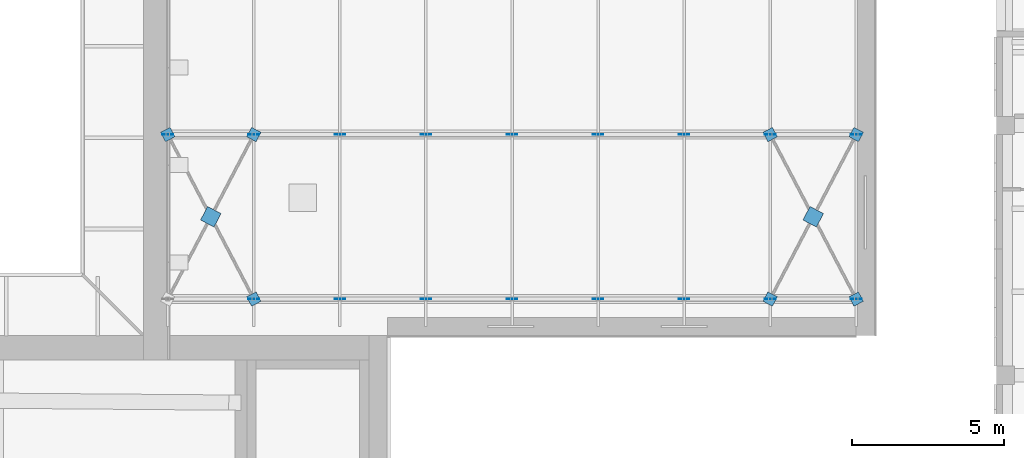
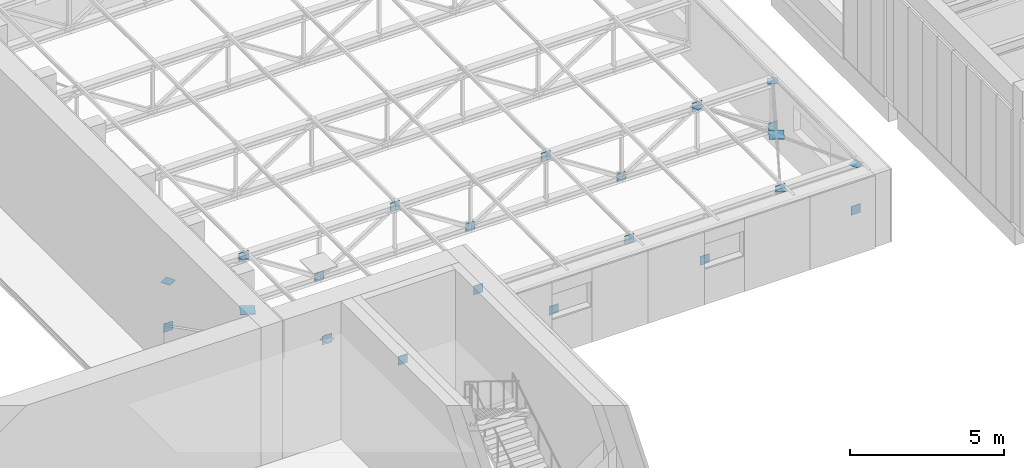
# One storey, part 95 of 132: 26 discrete accessories.
"""IFC4 building model written with IfcOpenShell, lengths in metres."""

import ifcopenshell
import ifcopenshell.guid

model = None  # the IFC model being written
_history = None  # IfcOwnerHistory: only IFC2X3 demands one
_inside = {}  # id of a spatial element -> (the spatial element, [elements in it])
_under = {}  # id of a project, library or spatial element -> (it, [spatial elements below it])
_declared = {}  # id of a project -> (the project, [libraries it declares])
_typed = {}  # id of a type object -> (the type object, [elements of that type])
_made_of = {}  # id of a material, layer set ... -> (it, [elements and type objects made of it])


def new_model(schema):
    """Start an empty IFC model of exactly this schema.

    Asked for "IFC4X3", IfcOpenShell would pick the latest addendum, in which some entities
    have other attributes; the version numbers below select the first issue.
    IFC2X3 requires an IfcOwnerHistory on every rooted entity: one is made here for all.
    """
    global model, _history
    if schema == "IFC4X3":
        model = ifcopenshell.file(schema_version=(4, 3, 0, 0))
    else:
        model = ifcopenshell.file(schema=schema)
    _inside.clear()
    _under.clear()
    _declared.clear()
    _typed.clear()
    _made_of.clear()
    _history = None
    if model.schema == "IFC2X3":
        org = make("IfcOrganization", Name="unknown")
        user = make(
            "IfcPersonAndOrganization",
            ThePerson=make("IfcPerson", FamilyName="unknown"),
            TheOrganization=org,
        )
        app = make(
            "IfcApplication",
            ApplicationDeveloper=org,
            Version="unknown",
            ApplicationFullName="unknown",
            ApplicationIdentifier="unknown",
        )
        _history = make(
            "IfcOwnerHistory",
            OwningUser=user,
            OwningApplication=app,
            ChangeAction="ADDED",
            CreationDate=0,
        )
    return model


def make(cls, **values):
    """One entity of the class cls with the attributes given. An attribute that is None is left unset."""
    return model.create_entity(
        cls, **{name: value for name, value in values.items() if value is not None}
    )


def rooted(cls, **values):
    """An entity with a GlobalId (a new one), such as an element, a storey or a relation."""
    return make(cls, GlobalId=ifcopenshell.guid.new(), OwnerHistory=_history, **values)


def si_unit(unit_type, name, prefix=None):
    """IfcSIUnit, for example si_unit("LENGTHUNIT", "METRE", prefix="MILLI")."""
    return make("IfcSIUnit", UnitType=unit_type, Prefix=prefix, Name=name)


def assignment(units):
    """IfcUnitAssignment: the units of a project."""
    return None if units is None else make("IfcUnitAssignment", Units=units)


def point(xyz):
    """IfcCartesianPoint."""
    return None if xyz is None else make("IfcCartesianPoint", Coordinates=xyz)


def direction(xyz):
    """IfcDirection."""
    return None if xyz is None else make("IfcDirection", DirectionRatios=xyz)


def frame(location, z_axis=None, x_axis=None):
    """IfcAxis2Placement3D, a coordinate frame: its origin and axes. An axis left out is left unset."""
    return make(
        "IfcAxis2Placement3D",
        Location=point(location),
        Axis=direction(z_axis),
        RefDirection=direction(x_axis),
    )


def frame_2d(location, x_axis=None):
    """IfcAxis2Placement2D, a coordinate frame in the plane: its origin and x axis."""
    return make(
        "IfcAxis2Placement2D", Location=point(location), RefDirection=direction(x_axis)
    )


def origin():
    """The frame at (0, 0, 0) with its axes left unset."""
    return frame((0.0, 0.0, 0.0))


def origin_2d():
    """The frame at (0, 0) in the plane with its x axis left unset."""
    return frame_2d((0.0, 0.0))


def place(relative_to, where):
    """IfcLocalPlacement: puts the frame where relative to a parent placement (None: the world)."""
    return make(
        "IfcLocalPlacement", PlacementRelTo=relative_to, RelativePlacement=where
    )


def context(
    kind, dimensions, precision=None, world=None, true_north=None, identifier=None
):
    """IfcGeometricRepresentationContext, for example the 3D "Model" context."""
    return make(
        "IfcGeometricRepresentationContext",
        ContextIdentifier=identifier,
        ContextType=kind,
        CoordinateSpaceDimension=dimensions,
        Precision=precision,
        WorldCoordinateSystem=world,
        TrueNorth=true_north,
    )


def subcontext(parent, identifier, kind, view, scale=None):
    """IfcGeometricRepresentationSubContext, for example "Body" below "Model"."""
    return make(
        "IfcGeometricRepresentationSubContext",
        ContextIdentifier=identifier,
        ContextType=kind,
        ParentContext=parent,
        TargetScale=scale,
        TargetView=view,
    )


def project(units=None, contexts=None):
    """IfcProject with its units and contexts."""
    return rooted(
        "IfcProject",
        Name="project",
        RepresentationContexts=contexts,
        UnitsInContext=assignment(units),
    )


def spatial(cls, under=None, at=None, **own):
    """A site, building, storey or space (cls), placed at a placement, below another one or the project."""
    s = rooted(cls, ObjectPlacement=at, **own)
    if under is not None:
        _under.setdefault(under.id(), (under, []))[1].append(s)
    return s


def profile(cls, at=None, kind="AREA", **sizes):
    """A parametric profile (cls). Its sizes go by their IFC names, for example OverallWidth=200.0."""
    return make(cls, ProfileType=kind, Position=at, **sizes)


def rectangle(**sizes):
    """IfcRectangleProfileDef."""
    return profile("IfcRectangleProfileDef", **sizes)


def extrude(swept, where, along, depth):
    """IfcExtrudedAreaSolid: the profile swept, set in the frame where, extruded along a direction by depth."""
    return make(
        "IfcExtrudedAreaSolid",
        SweptArea=swept,
        Position=where,
        ExtrudedDirection=direction(along),
        Depth=depth,
    )


def shape(context_of_items, identifier, shape_type, items):
    """IfcShapeRepresentation: the items that make up one representation, for example the "Body"."""
    return make(
        "IfcShapeRepresentation",
        ContextOfItems=context_of_items,
        RepresentationIdentifier=identifier,
        RepresentationType=shape_type,
        Items=items,
    )


def material(Name=None, Category=None):
    """IfcMaterial."""
    return make("IfcMaterial", Name=Name, Category=Category)


def layer(
    of_material, thickness, ventilated=None, Name=None, Category=None, Priority=None
):
    """IfcMaterialLayer: one layer of a wall or slab, of a material (None: an air gap)."""
    return make(
        "IfcMaterialLayer",
        Material=of_material,
        LayerThickness=thickness,
        IsVentilated=ventilated,
        Name=Name,
        Category=Category,
        Priority=Priority,
    )


def layer_set(layers, Name=None):
    """IfcMaterialLayerSet."""
    return make("IfcMaterialLayerSet", MaterialLayers=layers, LayerSetName=Name)


def made_of(thing, what):
    """Note that an element or type object is made of a material, layer set ...; save() writes the relation."""
    if what is not None:
        _made_of.setdefault(what.id(), (what, []))[1].append(thing)
    return thing


def type_object(cls, material=None, **own):
    """A type object (cls), such as IfcWallType, which elements share."""
    return made_of(rooted(cls, **own), material)


def element(
    cls,
    number,
    at=None,
    inside=None,
    cuts=None,
    type_object=None,
    material=None,
    context=None,
    identifier="Body",
    shape_type=None,
    held_by="IfcProductDefinitionShape",
    body=None,
    shapes=None,
    **own,
):
    """One element of the class cls, such as IfcWall. Its Tag is "e" and its number.

    at: its placement. inside: the storey or other place that contains it. cuts: it is an
    opening in that element (IfcRelVoidsElement). A single representation is given by context,
    identifier, shape_type and body (its items); several are given by shapes. held_by: the class
    of the entity that holds the representations. save() writes the other relations.
    """
    e = rooted(cls, Tag="e%d" % number, ObjectPlacement=at, **own)
    if body is not None:
        shapes = [shape(context, identifier, shape_type, body)]
    if shapes is not None:
        e.Representation = make(held_by, Representations=shapes)
    if inside is not None:
        _inside.setdefault(inside.id(), (inside, []))[1].append(e)
    if cuts is not None:
        rooted(
            "IfcRelVoidsElement", RelatingBuildingElement=cuts, RelatedOpeningElement=e
        )
    if type_object is not None:
        _typed.setdefault(type_object.id(), (type_object, []))[1].append(e)
    return made_of(e, material)


def aggregate(whole, parts):
    """IfcRelAggregates: a whole, such as a stair, and the parts it consists of."""
    return rooted("IfcRelAggregates", RelatingObject=whole, RelatedObjects=parts)


def save(model, path):
    """Write the relations noted so far, then the file.

    IfcRelAggregates (storeys below a building ...), IfcRelContainedInSpatialStructure (elements
    in a storey), IfcRelDefinesByType, IfcRelAssociatesMaterial and IfcRelDeclares: one each for
    every whole, place, type object, material and project.
    """
    for whole, parts in _under.values():
        aggregate(whole, parts)
    for where, things in _inside.values():
        rooted(
            "IfcRelContainedInSpatialStructure",
            RelatedElements=things,
            RelatingStructure=where,
        )
    for kind, things in _typed.values():
        rooted("IfcRelDefinesByType", RelatedObjects=things, RelatingType=kind)
    for what, things in _made_of.values():
        rooted("IfcRelAssociatesMaterial", RelatedObjects=things, RelatingMaterial=what)
    for by, libraries in _declared.values():
        rooted("IfcRelDeclares", RelatingContext=by, RelatedDefinitions=libraries)
    model.write(path)


model = new_model("IFC4")

# Units and contexts
model_context = context("Model", 3, precision=1e-05, world=origin(), true_north=direction((0.0, 1.0)))
body_context = subcontext(model_context, "Body", "Model", "MODEL_VIEW")
ifc_project = project(units=[si_unit("LENGTHUNIT", "METRE"), si_unit("AREAUNIT", "SQUARE_METRE"), si_unit("VOLUMEUNIT", "CUBIC_METRE"), si_unit("PLANEANGLEUNIT", "RADIAN"), si_unit("MASSUNIT", "GRAM", prefix="KILO")], contexts=[model_context])

# Site, building, storey
site_placement = place(None, origin())
site = spatial("IfcSite", under=ifc_project, at=site_placement, CompositionType="ELEMENT")
building_placement = place(site_placement, origin())
building = spatial("IfcBuilding", under=site, at=building_placement, Name="Lunette Opera House", CompositionType="ELEMENT")
storey_placement = place(building_placement, frame((0.0, 0.0, 17.0)))
storey = spatial("IfcBuildingStorey", under=building, at=storey_placement, Name="L03", CompositionType="ELEMENT", Elevation=17.0)

# Discrete accessories
ifc_material_1 = material(Name="Steel S355", Category="steel")
ifc_layer_1 = layer(ifc_material_1, 0.011962890625)
ifc_layer_set_1 = layer_set([ifc_layer_1], Name="Steel S355")
discrete_accessory_type_1 = type_object("IfcDiscreteAccessoryType", Name="BRACE GUSSET PLATE 12", PredefinedType="USERDEFINED", material=ifc_layer_set_1)
for number, where, z_axis, x_axis, name in (
    (1, (111.625, 97.199951171875, 2.39990234375), (0.0, 0.0, 1.0), (1.0, 0.0, 0.0), "Gusset plate 100"),
    (2, (114.449951171875, 97.199951171875, 0.599853515625), (0.0, 0.0, 1.0), (1.0, 0.0, 0.0), "Gusset plate 101"),
    (3, (117.27490234375, 97.199951171875, 2.39990234375), (0.0, 0.0, 1.0), (1.0, 0.0, 0.0), "Gusset plate 102"),
    (4, (120.10009765625, 97.199951171875, 0.599853515625), (0.0, 0.0, 1.0), (1.0, 0.0, 0.0), "Gusset plate 103"),
    (5, (122.925048828125, 97.199951171875, 2.39990234375), (0.0, 0.0, 1.0), (1.0, 0.0, 0.0), "Gusset plate 104"),
    (6, (125.75, 97.199951171875, 0.599853515625), (0.0, 0.0, 1.0), (1.0, 0.0, 0.0), "Gusset plate 105"),
    (7, (128.574951171875, 97.199951171875, 2.39990234375), (0.0, 0.0, 1.0), (1.0, 0.0, 0.0), "Gusset plate 106"),
    (8, (131.39990234375, 97.199951171875, 0.599853515625), (0.0, 0.0, 1.0), (1.0, 0.0, 0.0), "Gusset plate 107"),
    (9, (108.800048828125, 102.60009765625, 0.599853515625), (0.0, 0.0, 1.0), (1.0, 0.0, 0.0), "Gusset plate 108"),
    (10, (111.625, 102.60009765625, 2.39990234375), (0.0, 0.0, 1.0), (1.0, 0.0, 0.0), "Gusset plate 109"),
    (11, (114.449951171875, 102.60009765625, 0.599853515625), (0.0, 0.0, 1.0), (1.0, 0.0, 0.0), "Gusset plate 110"),
    (12, (117.27490234375, 102.60009765625, 2.39990234375), (0.0, 0.0, 1.0), (1.0, 0.0, 0.0), "Gusset plate 111"),
    (13, (120.10009765625, 102.60009765625, 0.599853515625), (0.0, 0.0, 1.0), (1.0, 0.0, 0.0), "Gusset plate 112"),
    (14, (122.925048828125, 102.60009765625, 2.39990234375), (0.0, 0.0, 1.0), (1.0, 0.0, 0.0), "Gusset plate 113"),
    (15, (125.75, 102.60009765625, 0.599853515625), (0.0, 0.0, 1.0), (1.0, 0.0, 0.0), "Gusset plate 114"),
    (16, (128.574951171875, 102.60009765625, 2.39990234375), (0.0, 0.0, 1.0), (1.0, 0.0, 0.0), "Gusset plate 115"),
    (17, (131.39990234375, 102.60009765625, 0.599853515625), (0.0, 0.0, 1.0), (1.0, 0.0, 0.0), "Gusset plate 116"),
):
    element("IfcDiscreteAccessory", number, at=place(storey_placement, frame(where, z_axis=z_axis, x_axis=x_axis)), inside=storey, type_object=discrete_accessory_type_1, Name=name, ObjectType="GUSSET PLATE", PredefinedType="USERDEFINED", context=body_context, shape_type="SweptSolid", body=[
        extrude(rectangle(XDim=0.35009765625, YDim=0.011962890625, at=origin_2d()), origin(), (0.0, 0.0, 1.0), 0.35009765625),
    ])
for number, where, z_axis, x_axis, name in (
    (18, (111.625, 102.60009765625, 2.56884765625), (0.0, 0.0, 1.0), (0.463546584757, 0.886072549942, 0.0), "Gusset plate 145"),
    (19, (128.574951171875, 97.199951171875, 2.56884765625), (0.0, 0.0, 1.0), (0.463546584757, 0.886072549942, 0.0), "Gusset plate 146"),
    (20, (131.39990234375, 102.60009765625, 2.56884765625), (0.0, 0.0, 1.0), (0.463546584757, 0.886072549942, 0.0), "Gusset plate 147"),
    (21, (111.625, 97.199951171875, 2.56884765625), (0.0, 0.0, 1.0), (-0.463418221361, 0.886139691082, 0.0), "Gusset plate 338"),
    (22, (108.800048828125, 102.60009765625, 2.56884765625), (0.0, 0.0, 1.0), (-0.463676484795, 0.886004580941, 0.0), "Gusset plate 339"),
    (23, (131.39990234375, 97.199951171875, 2.56884765625), (0.0, 0.0, 1.0), (-0.463418221361, 0.886139691082, 0.0), "Gusset plate 340"),
    (24, (128.574951171875, 102.60009765625, 2.56884765625), (0.0, 0.0, 1.0), (-0.463676484795, 0.886004580941, 0.0), "Gusset plate 341"),
):
    element("IfcDiscreteAccessory", number, at=place(storey_placement, frame(where, z_axis=z_axis, x_axis=x_axis)), inside=storey, type_object=discrete_accessory_type_1, Name=name, ObjectType="GUSSET PLATE", PredefinedType="USERDEFINED", context=body_context, shape_type="SweptSolid", body=[
        extrude(rectangle(XDim=0.35009765625, YDim=0.35009765625, at=origin_2d()), origin(), (0.0, 0.0, 1.0), 0.011962890625),
    ])
ifc_material_2 = material(Name="Steel S355", Category="steel")
ifc_layer_2 = layer(ifc_material_2, 0.01611328125)
ifc_layer_set_2 = layer_set([ifc_layer_2], Name="Steel S355")
discrete_accessory_type_2 = type_object("IfcDiscreteAccessoryType", Name="X-BRACE NODE PLATE 16", PredefinedType="USERDEFINED", material=ifc_layer_set_2)
for number, where, z_axis, x_axis, name in (
    (25, (110.212890625, 99.89990234375, 2.56689453125), (0.0, 0.0, 1.0), (0.463546584757, 0.886072549942, 0.0), "X-brace node plate 5"),
    (26, (129.988037109375, 99.89990234375, 2.56689453125), (0.0, 0.0, 1.0), (0.463546584757, 0.886072549942, 0.0), "X-brace node plate 6"),
):
    element("IfcDiscreteAccessory", number, at=place(storey_placement, frame(where, z_axis=z_axis, x_axis=x_axis)), inside=storey, type_object=discrete_accessory_type_2, Name=name, ObjectType="NODE PLATE", PredefinedType="USERDEFINED", context=body_context, shape_type="SweptSolid", body=[
        extrude(rectangle(XDim=0.5, YDim=0.5, at=origin_2d()), origin(), (0.0, 0.0, 1.0), 0.01611328125),
    ])

save(model, "model.ifc")
